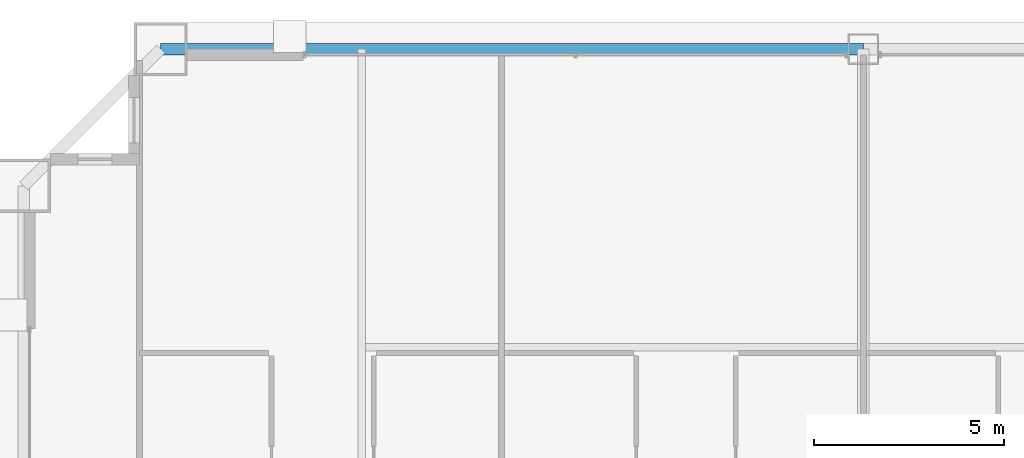
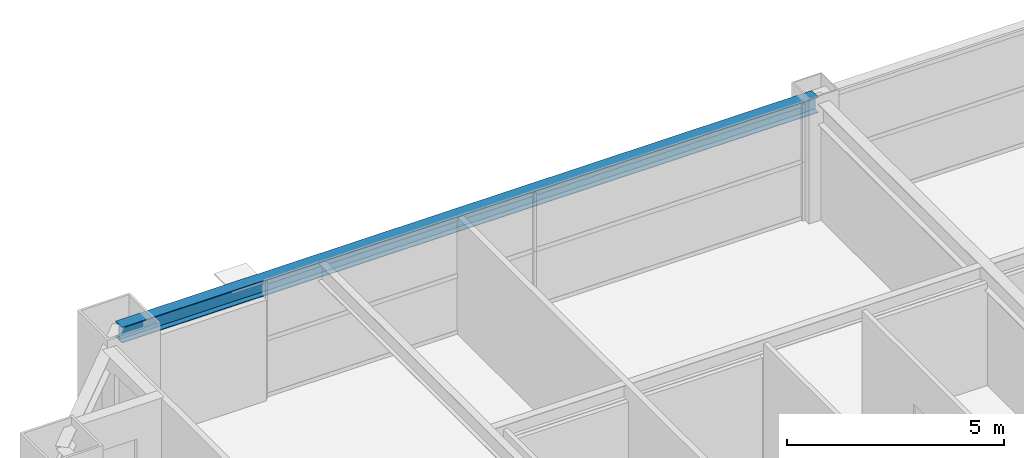
# One storey, part 26 of 38: 1 beam.
"""IFC4 building model written with IfcOpenShell, lengths in metres."""

import ifcopenshell
import ifcopenshell.guid

model = None  # the IFC model being written
_history = None  # IfcOwnerHistory: only IFC2X3 demands one
_inside = {}  # id of a spatial element -> (the spatial element, [elements in it])
_under = {}  # id of a project, library or spatial element -> (it, [spatial elements below it])
_declared = {}  # id of a project -> (the project, [libraries it declares])
_typed = {}  # id of a type object -> (the type object, [elements of that type])
_made_of = {}  # id of a material, layer set ... -> (it, [elements and type objects made of it])


def new_model(schema):
    """Start an empty IFC model of exactly this schema.

    Asked for "IFC4X3", IfcOpenShell would pick the latest addendum, in which some entities
    have other attributes; the version numbers below select the first issue.
    IFC2X3 requires an IfcOwnerHistory on every rooted entity: one is made here for all.
    """
    global model, _history
    if schema == "IFC4X3":
        model = ifcopenshell.file(schema_version=(4, 3, 0, 0))
    else:
        model = ifcopenshell.file(schema=schema)
    _inside.clear()
    _under.clear()
    _declared.clear()
    _typed.clear()
    _made_of.clear()
    _history = None
    if model.schema == "IFC2X3":
        org = make("IfcOrganization", Name="unknown")
        user = make(
            "IfcPersonAndOrganization",
            ThePerson=make("IfcPerson", FamilyName="unknown"),
            TheOrganization=org,
        )
        app = make(
            "IfcApplication",
            ApplicationDeveloper=org,
            Version="unknown",
            ApplicationFullName="unknown",
            ApplicationIdentifier="unknown",
        )
        _history = make(
            "IfcOwnerHistory",
            OwningUser=user,
            OwningApplication=app,
            ChangeAction="ADDED",
            CreationDate=0,
        )
    return model


def make(cls, **values):
    """One entity of the class cls with the attributes given. An attribute that is None is left unset."""
    return model.create_entity(
        cls, **{name: value for name, value in values.items() if value is not None}
    )


def rooted(cls, **values):
    """An entity with a GlobalId (a new one), such as an element, a storey or a relation."""
    return make(cls, GlobalId=ifcopenshell.guid.new(), OwnerHistory=_history, **values)


def si_unit(unit_type, name, prefix=None):
    """IfcSIUnit, for example si_unit("LENGTHUNIT", "METRE", prefix="MILLI")."""
    return make("IfcSIUnit", UnitType=unit_type, Prefix=prefix, Name=name)


def assignment(units):
    """IfcUnitAssignment: the units of a project."""
    return None if units is None else make("IfcUnitAssignment", Units=units)


def point(xyz):
    """IfcCartesianPoint."""
    return None if xyz is None else make("IfcCartesianPoint", Coordinates=xyz)


def direction(xyz):
    """IfcDirection."""
    return None if xyz is None else make("IfcDirection", DirectionRatios=xyz)


def frame(location, z_axis=None, x_axis=None):
    """IfcAxis2Placement3D, a coordinate frame: its origin and axes. An axis left out is left unset."""
    return make(
        "IfcAxis2Placement3D",
        Location=point(location),
        Axis=direction(z_axis),
        RefDirection=direction(x_axis),
    )


def frame_2d(location, x_axis=None):
    """IfcAxis2Placement2D, a coordinate frame in the plane: its origin and x axis."""
    return make(
        "IfcAxis2Placement2D", Location=point(location), RefDirection=direction(x_axis)
    )


def origin():
    """The frame at (0, 0, 0) with its axes left unset."""
    return frame((0.0, 0.0, 0.0))


def origin_2d():
    """The frame at (0, 0) in the plane with its x axis left unset."""
    return frame_2d((0.0, 0.0))


def place(relative_to, where):
    """IfcLocalPlacement: puts the frame where relative to a parent placement (None: the world)."""
    return make(
        "IfcLocalPlacement", PlacementRelTo=relative_to, RelativePlacement=where
    )


def context(
    kind, dimensions, precision=None, world=None, true_north=None, identifier=None
):
    """IfcGeometricRepresentationContext, for example the 3D "Model" context."""
    return make(
        "IfcGeometricRepresentationContext",
        ContextIdentifier=identifier,
        ContextType=kind,
        CoordinateSpaceDimension=dimensions,
        Precision=precision,
        WorldCoordinateSystem=world,
        TrueNorth=true_north,
    )


def subcontext(parent, identifier, kind, view, scale=None):
    """IfcGeometricRepresentationSubContext, for example "Body" below "Model"."""
    return make(
        "IfcGeometricRepresentationSubContext",
        ContextIdentifier=identifier,
        ContextType=kind,
        ParentContext=parent,
        TargetScale=scale,
        TargetView=view,
    )


def project(units=None, contexts=None):
    """IfcProject with its units and contexts."""
    return rooted(
        "IfcProject",
        Name="project",
        RepresentationContexts=contexts,
        UnitsInContext=assignment(units),
    )


def spatial(cls, under=None, at=None, **own):
    """A site, building, storey or space (cls), placed at a placement, below another one or the project."""
    s = rooted(cls, ObjectPlacement=at, **own)
    if under is not None:
        _under.setdefault(under.id(), (under, []))[1].append(s)
    return s


def profile(cls, at=None, kind="AREA", **sizes):
    """A parametric profile (cls). Its sizes go by their IFC names, for example OverallWidth=200.0."""
    return make(cls, ProfileType=kind, Position=at, **sizes)


def i_section(**sizes):
    """IfcIShapeProfileDef."""
    return profile("IfcIShapeProfileDef", **sizes)


def extrude(swept, where, along, depth):
    """IfcExtrudedAreaSolid: the profile swept, set in the frame where, extruded along a direction by depth."""
    return make(
        "IfcExtrudedAreaSolid",
        SweptArea=swept,
        Position=where,
        ExtrudedDirection=direction(along),
        Depth=depth,
    )


def shape(context_of_items, identifier, shape_type, items):
    """IfcShapeRepresentation: the items that make up one representation, for example the "Body"."""
    return make(
        "IfcShapeRepresentation",
        ContextOfItems=context_of_items,
        RepresentationIdentifier=identifier,
        RepresentationType=shape_type,
        Items=items,
    )


def source(mapping_origin, context_of_items, identifier, shape_type, items):
    """IfcRepresentationMap: a shape defined once, which mapped items show again and again."""
    return make(
        "IfcRepresentationMap",
        MappingOrigin=mapping_origin,
        MappedRepresentation=shape(context_of_items, identifier, shape_type, items),
    )


def transform(
    local_origin,
    x_axis=None,
    y_axis=None,
    z_axis=None,
    scale=None,
    scale2=None,
    scale3=None,
    uniform=True,
):
    """IfcCartesianTransformationOperator3D, or its non-uniform kind. x_axis, y_axis, z_axis: its Axis1, 2, 3."""
    if uniform:
        return make(
            "IfcCartesianTransformationOperator3D",
            Axis1=direction(x_axis),
            Axis2=direction(y_axis),
            LocalOrigin=point(local_origin),
            Scale=scale,
            Axis3=direction(z_axis),
        )
    return make(
        "IfcCartesianTransformationOperator3DnonUniform",
        Axis1=direction(x_axis),
        Axis2=direction(y_axis),
        LocalOrigin=point(local_origin),
        Scale=scale,
        Axis3=direction(z_axis),
        Scale2=scale2,
        Scale3=scale3,
    )


def mapped(mapping_source, mapping_target):
    """IfcMappedItem: shows the shape of a source again, moved by a transform."""
    return make(
        "IfcMappedItem", MappingSource=mapping_source, MappingTarget=mapping_target
    )


def material(Name=None, Category=None):
    """IfcMaterial."""
    return make("IfcMaterial", Name=Name, Category=Category)


def material_profile(
    of_material, cross_section, Name=None, Category=None, Priority=None
):
    """IfcMaterialProfile: a cross section and its material."""
    return make(
        "IfcMaterialProfile",
        Name=Name,
        Material=of_material,
        Profile=cross_section,
        Priority=Priority,
        Category=Category,
    )


def profile_set(profiles, Name=None, composite=None):
    """IfcMaterialProfileSet."""
    return make(
        "IfcMaterialProfileSet",
        Name=Name,
        MaterialProfiles=profiles,
        CompositeProfile=composite,
    )


def made_of(thing, what):
    """Note that an element or type object is made of a material, layer set ...; save() writes the relation."""
    if what is not None:
        _made_of.setdefault(what.id(), (what, []))[1].append(thing)
    return thing


def type_object(cls, material=None, **own):
    """A type object (cls), such as IfcWallType, which elements share."""
    return made_of(rooted(cls, **own), material)


def element(
    cls,
    number,
    at=None,
    inside=None,
    cuts=None,
    type_object=None,
    material=None,
    context=None,
    identifier="Body",
    shape_type=None,
    held_by="IfcProductDefinitionShape",
    body=None,
    shapes=None,
    **own,
):
    """One element of the class cls, such as IfcWall. Its Tag is "e" and its number.

    at: its placement. inside: the storey or other place that contains it. cuts: it is an
    opening in that element (IfcRelVoidsElement). A single representation is given by context,
    identifier, shape_type and body (its items); several are given by shapes. held_by: the class
    of the entity that holds the representations. save() writes the other relations.
    """
    e = rooted(cls, Tag="e%d" % number, ObjectPlacement=at, **own)
    if body is not None:
        shapes = [shape(context, identifier, shape_type, body)]
    if shapes is not None:
        e.Representation = make(held_by, Representations=shapes)
    if inside is not None:
        _inside.setdefault(inside.id(), (inside, []))[1].append(e)
    if cuts is not None:
        rooted(
            "IfcRelVoidsElement", RelatingBuildingElement=cuts, RelatedOpeningElement=e
        )
    if type_object is not None:
        _typed.setdefault(type_object.id(), (type_object, []))[1].append(e)
    return made_of(e, material)


def aggregate(whole, parts):
    """IfcRelAggregates: a whole, such as a stair, and the parts it consists of."""
    return rooted("IfcRelAggregates", RelatingObject=whole, RelatedObjects=parts)


def save(model, path):
    """Write the relations noted so far, then the file.

    IfcRelAggregates (storeys below a building ...), IfcRelContainedInSpatialStructure (elements
    in a storey), IfcRelDefinesByType, IfcRelAssociatesMaterial and IfcRelDeclares: one each for
    every whole, place, type object, material and project.
    """
    for whole, parts in _under.values():
        aggregate(whole, parts)
    for where, things in _inside.values():
        rooted(
            "IfcRelContainedInSpatialStructure",
            RelatedElements=things,
            RelatingStructure=where,
        )
    for kind, things in _typed.values():
        rooted("IfcRelDefinesByType", RelatedObjects=things, RelatingType=kind)
    for what, things in _made_of.values():
        rooted("IfcRelAssociatesMaterial", RelatedObjects=things, RelatingMaterial=what)
    for by, libraries in _declared.values():
        rooted("IfcRelDeclares", RelatingContext=by, RelatedDefinitions=libraries)
    model.write(path)


model = new_model("IFC4")

# Units and contexts
model_context = context("Model", 3, precision=1e-05, world=origin(), true_north=direction((0.0, 1.0)))
body_context = subcontext(model_context, "Body", "Model", "MODEL_VIEW")
ifc_project = project(units=[si_unit("LENGTHUNIT", "METRE"), si_unit("AREAUNIT", "SQUARE_METRE"), si_unit("VOLUMEUNIT", "CUBIC_METRE"), si_unit("PLANEANGLEUNIT", "RADIAN"), si_unit("MASSUNIT", "GRAM", prefix="KILO"), si_unit("THERMODYNAMICTEMPERATUREUNIT", "KELVIN"), si_unit("POWERUNIT", "WATT")], contexts=[model_context])

# Site, building, storey
site_placement = place(None, origin())
site = spatial("IfcSite", under=ifc_project, at=site_placement, CompositionType="ELEMENT")
building_placement = place(site_placement, origin())
building = spatial("IfcBuilding", under=site, at=building_placement, Name="Yuzanri Waterfront Tower", CompositionType="ELEMENT")
storey_placement = place(building_placement, frame((0.0, 0.0, 188.0)))
storey = spatial("IfcBuildingStorey", under=building, at=storey_placement, Name="L49", CompositionType="ELEMENT", Elevation=188.0)

# Beam
ifc_material = material(Name="Steel Q355B", Category="steel")
ifc_material_profile = material_profile(ifc_material, i_section(OverallWidth=0.300048828125, OverallDepth=0.43994140625, WebThickness=0.010986328125, FlangeThickness=0.01806640625, at=origin_2d()), Name="HM 440x300x11x18")
ifc_profile_set = profile_set([ifc_material_profile], Name="Steel Q355B")
beam_type = type_object("IfcBeamType", Name="Perimeter Spandrel Q355B HM 440x300", PredefinedType="SPANDREL", material=ifc_profile_set)
shared_shape = source(origin(), body_context, "Body", "SweptSolid", [
    extrude(i_section(OverallWidth=0.300048828125, OverallDepth=0.43994140625, WebThickness=0.010986328125, FlangeThickness=0.01806640625, at=origin_2d()), origin(), (0.0, 0.0, 1.0), 18.5),
])
beam_placement = place(storey_placement, frame((37.0, 47.89990234375, 3.06005859375), z_axis=(-1.0, 0.0, 0.0), x_axis=(0.0, -1.0, 0.0)))
element("IfcBeam", 1, at=beam_placement, inside=storey, type_object=beam_type, Name="L49 Perimeter Spandrel N2-N1", PredefinedType="SPANDREL", context=body_context, shape_type="MappedRepresentation", body=[
    mapped(shared_shape, transform((0.0, 0.0, 0.0), scale=1.0)),
])

save(model, "model.ifc")
